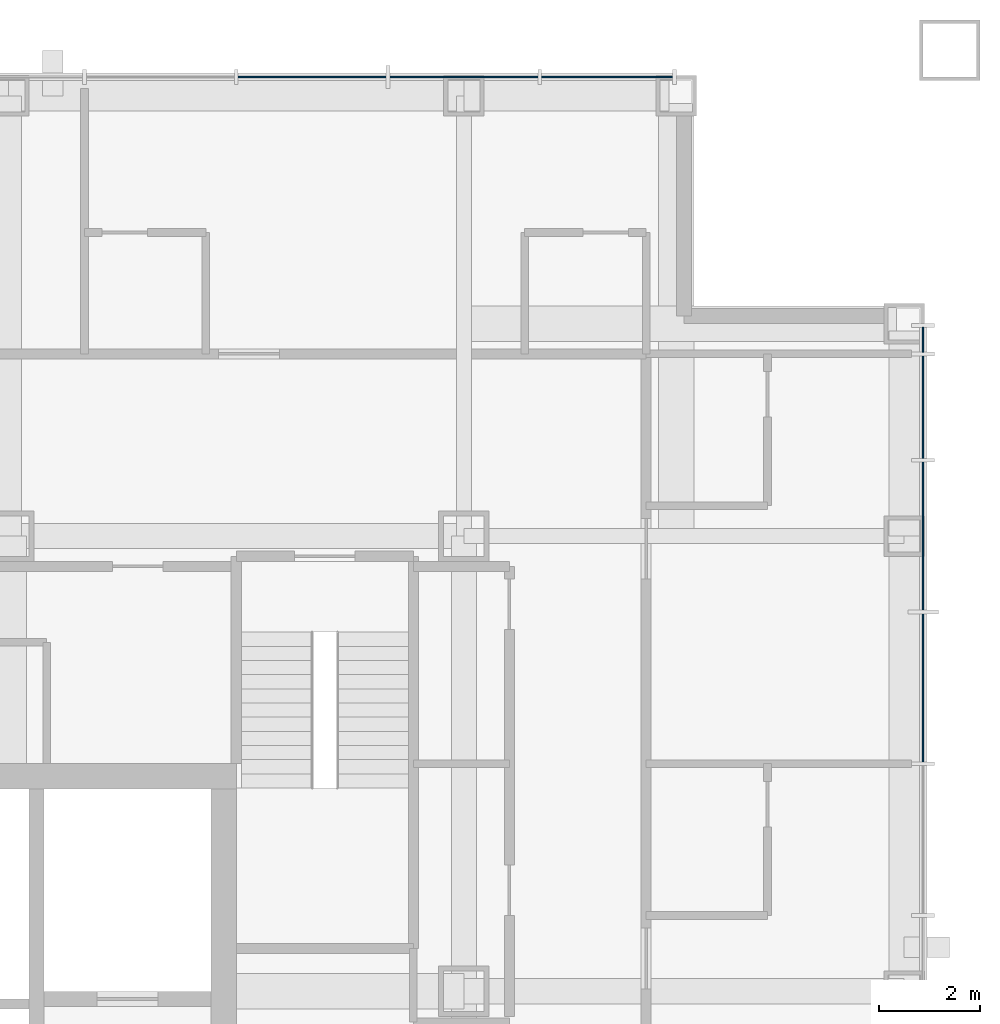
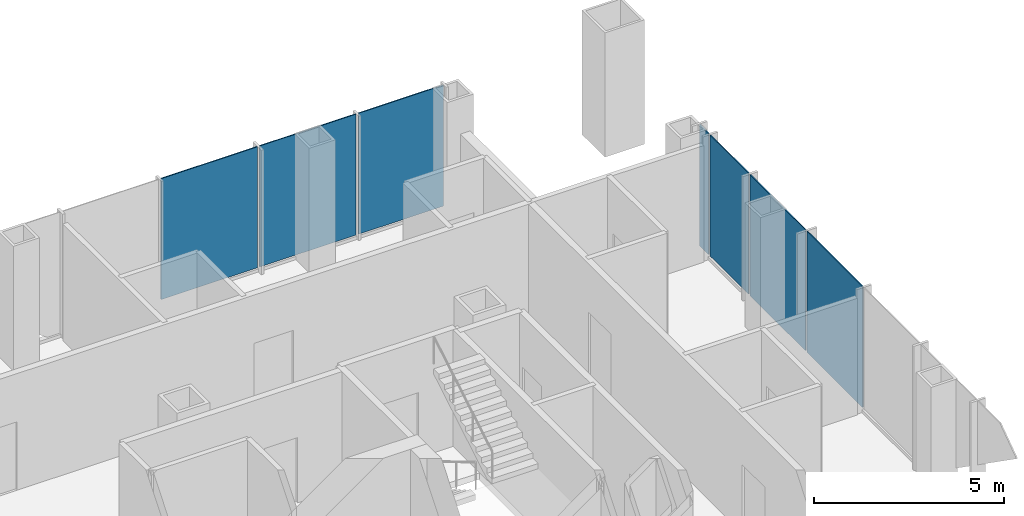
# One storey, part 11 of 17: 7 plates, 2 elements without a shape of their own.
"""IFC4 building model written with IfcOpenShell, lengths in metres."""

from ifc_helpers import new_model, si_unit, direction, frame, origin, origin_2d, place, context, subcontext, project, spatial, rectangle, extrude, material, layer, layer_set, type_object, element, aggregate, save


model = new_model("IFC4")

# Units and contexts
model_context = context("Model", 3, precision=1e-05, world=origin(), true_north=direction((0.0, 1.0)))
body_context = subcontext(model_context, "Body", "Model", "MODEL_VIEW")
ifc_project = project(units=[si_unit("LENGTHUNIT", "METRE"), si_unit("AREAUNIT", "SQUARE_METRE"), si_unit("VOLUMEUNIT", "CUBIC_METRE"), si_unit("PLANEANGLEUNIT", "RADIAN"), si_unit("MASSUNIT", "GRAM", prefix="KILO")], contexts=[model_context])

# Site, building, storey
site_placement = place(None, origin())
site = spatial("IfcSite", under=ifc_project, at=site_placement, CompositionType="ELEMENT")
building_placement = place(site_placement, origin())
building = spatial("IfcBuilding", under=site, at=building_placement, Name="Malebo Sky Hospital", CompositionType="ELEMENT")
storey_placement = place(building_placement, frame((0.0, 0.0, 189.0)))
storey = spatial("IfcBuildingStorey", under=building, at=storey_placement, Name="L45", CompositionType="ELEMENT", Elevation=189.0)

# Curtain wall, plates
ifc_material_1 = material(Name="Anodised aluminium, natural silver", Category="aluminium")
ifc_layer_1 = layer(ifc_material_1, 0.25)
ifc_layer_set_1 = layer_set([ifc_layer_1], Name="WARD CURTAIN WALL NORTH AND SOUTH")
curtain_wall_type_1 = type_object("IfcCurtainWallType", Name="WARD CURTAIN WALL NORTH AND SOUTH", PredefinedType="NOTDEFINED", material=ifc_layer_set_1)
curtain_wall_1_placement = place(storey_placement, origin())
curtain_wall_1 = element("IfcCurtainWall", 1, at=curtain_wall_1_placement, inside=storey, type_object=curtain_wall_type_1, Name="NS curtain wall N", PredefinedType="NOTDEFINED")
ifc_material_2 = material(Name="Clear low-iron double glazing", Category="glass")
ifc_layer_2 = layer(ifc_material_2, 0.031982421875)
ifc_layer_set_2 = layer_set([ifc_layer_2], Name="VISION PANEL CLEAR 32")
plate_type = type_object("IfcPlateType", Name="VISION PANEL CLEAR 32", PredefinedType="CURTAIN_PANEL", material=ifc_layer_set_2)
plate_1_placement = place(storey_placement, frame((70.5, 84.574951171875, 0.10009765625), z_axis=(0.0, 0.0, 1.0), x_axis=(1.0, 0.0, 0.0)))
plate_1 = element("IfcPlate", 2, at=plate_1_placement, type_object=plate_type, Name="Panel 11", PredefinedType="CURTAIN_PANEL", context=body_context, shape_type="SweptSolid", body=[
    extrude(rectangle(XDim=2.925048828125, YDim=0.031982421875, at=origin_2d()), origin(), (0.0, 0.0, 1.0), 3.889892578125),
])
plate_2_placement = place(storey_placement, frame((73.5, 84.574951171875, 0.10009765625), z_axis=(0.0, 0.0, 1.0), x_axis=(1.0, 0.0, 0.0)))
plate_2 = element("IfcPlate", 3, at=plate_2_placement, type_object=plate_type, Name="Panel 12", PredefinedType="CURTAIN_PANEL", context=body_context, shape_type="SweptSolid", body=[
    extrude(rectangle(XDim=2.925048828125, YDim=0.031982421875, at=origin_2d()), origin(), (0.0, 0.0, 1.0), 3.889892578125),
])
plate_3_placement = place(storey_placement, frame((76.331298828125, 84.574951171875, 0.10009765625), z_axis=(0.0, 0.0, 1.0), x_axis=(1.0, 0.0, 0.0)))
plate_3 = element("IfcPlate", 4, at=plate_3_placement, type_object=plate_type, Name="Panel 13", PredefinedType="CURTAIN_PANEL", context=body_context, shape_type="SweptSolid", body=[
    extrude(rectangle(XDim=2.58740234375, YDim=0.031982421875, at=origin_2d()), origin(), (0.0, 0.0, 1.0), 3.889892578125),
])
aggregate(curtain_wall_1, [plate_1, plate_2, plate_3])

ifc_layer_3 = layer(ifc_material_1, 0.25)
ifc_layer_set_3 = layer_set([ifc_layer_3], Name="WARD CURTAIN WALL EAST AND WEST")
curtain_wall_type_2 = type_object("IfcCurtainWallType", Name="WARD CURTAIN WALL EAST AND WEST", PredefinedType="NOTDEFINED", material=ifc_layer_set_3)
curtain_wall_2_placement = place(storey_placement, origin())
curtain_wall_2 = element("IfcCurtainWall", 5, at=curtain_wall_2_placement, inside=storey, type_object=curtain_wall_type_2, Name="EW curtain wall E", PredefinedType="NOTDEFINED")
plate_4_placement = place(storey_placement, frame((82.574951171875, 79.38134765625, 0.10009765625), z_axis=(0.0, 0.0, 1.0), x_axis=(0.0, -1.0, 0.0)))
plate_4 = element("IfcPlate", 6, at=plate_4_placement, type_object=plate_type, Name="Panel 1", PredefinedType="CURTAIN_PANEL", context=body_context, shape_type="SweptSolid", body=[
    extrude(rectangle(XDim=0.487548828125, YDim=0.031982421875, at=origin_2d()), origin(), (0.0, 0.0, 1.0), 3.889892578125),
])
plate_5_placement = place(storey_placement, frame((82.574951171875, 78.050048828125, 0.10009765625), z_axis=(0.0, 0.0, 1.0), x_axis=(0.0, -1.0, 0.0)))
plate_5 = element("IfcPlate", 7, at=plate_5_placement, type_object=plate_type, Name="Panel 2", PredefinedType="CURTAIN_PANEL", context=body_context, shape_type="SweptSolid", body=[
    extrude(rectangle(XDim=2.02490234375, YDim=0.031982421875, at=origin_2d()), origin(), (0.0, 0.0, 1.0), 3.889892578125),
])
plate_6_placement = place(storey_placement, frame((82.574951171875, 75.5, 0.10009765625), z_axis=(0.0, 0.0, 1.0), x_axis=(0.0, -1.0, 0.0)))
plate_6 = element("IfcPlate", 8, at=plate_6_placement, type_object=plate_type, Name="Panel 3", PredefinedType="CURTAIN_PANEL", context=body_context, shape_type="SweptSolid", body=[
    extrude(rectangle(XDim=2.925048828125, YDim=0.031982421875, at=origin_2d()), origin(), (0.0, 0.0, 1.0), 3.889892578125),
])
plate_7_placement = place(storey_placement, frame((82.574951171875, 72.5, 0.10009765625), z_axis=(0.0, 0.0, 1.0), x_axis=(0.0, -1.0, 0.0)))
plate_7 = element("IfcPlate", 9, at=plate_7_placement, type_object=plate_type, Name="Panel 4", PredefinedType="CURTAIN_PANEL", context=body_context, shape_type="SweptSolid", body=[
    extrude(rectangle(XDim=2.925048828125, YDim=0.031982421875, at=origin_2d()), origin(), (0.0, 0.0, 1.0), 3.889892578125),
])
aggregate(curtain_wall_2, [plate_4, plate_5, plate_6, plate_7])

save(model, "model.ifc")
